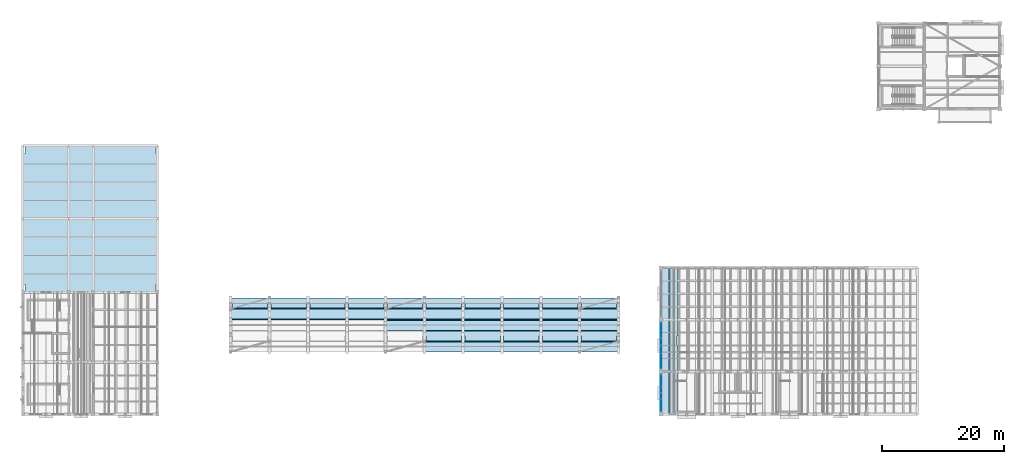
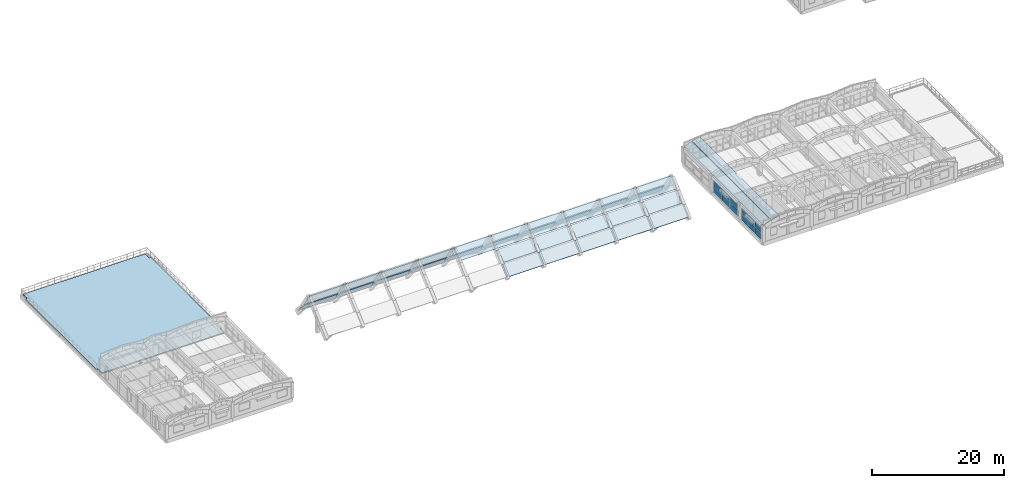
# One storey, part 20 of 40: 39 slabs, 12 plates, 2 elements without a shape of their own.
"""IFC4 building model written with IfcOpenShell, lengths in metres."""

from ifc_helpers import new_model, si_unit, direction, frame, origin, origin_2d, place, context, subcontext, project, spatial, polyline, rectangle, outline, extrude, material, layer, layer_set, type_object, element, aggregate, save


model = new_model("IFC4")

# Units and contexts
model_context = context("Model", 3, precision=1e-05, world=origin(), true_north=direction((0.0, 1.0)))
body_context = subcontext(model_context, "Body", "Model", "MODEL_VIEW")
ifc_project = project(units=[si_unit("LENGTHUNIT", "METRE"), si_unit("AREAUNIT", "SQUARE_METRE"), si_unit("VOLUMEUNIT", "CUBIC_METRE"), si_unit("PLANEANGLEUNIT", "RADIAN"), si_unit("MASSUNIT", "GRAM", prefix="KILO")], contexts=[model_context])

# Site, building, storey
site_placement = place(None, origin())
site = spatial("IfcSite", under=ifc_project, at=site_placement, CompositionType="ELEMENT")
building_placement = place(site_placement, origin())
building = spatial("IfcBuilding", under=site, at=building_placement, Name="Trellovar Central Fire Station", CompositionType="ELEMENT")
storey_placement = place(building_placement, frame((0.0, 0.0, 12.75)))
storey = spatial("IfcBuildingStorey", under=building, at=storey_placement, Name="L04", CompositionType="ELEMENT", Elevation=12.75)

# Curtain wall, plates
ifc_material_1 = material(Name="Thermally broken bronze anodized aluminum", Category="aluminium")
ifc_layer_1 = layer(ifc_material_1, 0.159912109375)
ifc_layer_set_1 = layer_set([ifc_layer_1], Name="Thermally broken bronze anodized aluminum")
curtain_wall_type = type_object("IfcCurtainWallType", Name="CW-12", PredefinedType="NOTDEFINED", material=ifc_layer_set_1)
curtain_wall_1_placement = place(storey_placement, origin())
curtain_wall_1 = element("IfcCurtainWall", 1, at=curtain_wall_1_placement, inside=storey, type_object=curtain_wall_type, Name="V5 L04 west courtyard curtain wall", PredefinedType="NOTDEFINED")
ifc_material_2 = material(Name="Double low-E solar control insulated glazing", Category="glass")
ifc_layer_2 = layer(ifc_material_2, 0.031982421875)
ifc_layer_set_2 = layer_set([ifc_layer_2], Name="Double low-E solar control insulated glazing")
plate_type_1 = type_object("IfcPlateType", Name="CWP-GL1", PredefinedType="CURTAIN_PANEL", material=ifc_layer_set_2)
plate_1_placement = place(storey_placement, frame((105.5, 14.5, 1.2099609375), z_axis=(0.0, 0.0, 1.0), x_axis=(0.0, -1.0, 0.0)))
plate_1 = element("IfcPlate", 2, at=plate_1_placement, type_object=plate_type_1, Name="CW3-L04-0099 panel 1-2", PredefinedType="CURTAIN_PANEL", context=body_context, shape_type="SweptSolid", body=[
    extrude(rectangle(XDim=1.919921875, YDim=0.031982421875, at=origin_2d()), origin(), (0.0, 0.0, 1.0), 1.090087890625),
])
ifc_material_3 = material(Name="Double low-E solar control insulated glazing", Category="glass")
ifc_layer_3 = layer(ifc_material_3, 0.035888671875)
ifc_layer_set_3 = layer_set([ifc_layer_3], Name="Double low-E solar control insulated glazing")
plate_type_2 = type_object("IfcPlateType", Name="CWP-GL2", PredefinedType="CURTAIN_PANEL", material=ifc_layer_set_3)
plate_2_placement = place(storey_placement, frame((105.5, 12.5, 1.2099609375), z_axis=(0.0, 0.0, 1.0), x_axis=(0.0, -1.0, 0.0)))
plate_2 = element("IfcPlate", 3, at=plate_2_placement, type_object=plate_type_2, Name="CW3-L04-0099 panel 2-2", PredefinedType="CURTAIN_PANEL", context=body_context, shape_type="SweptSolid", body=[
    extrude(rectangle(XDim=1.919921875, YDim=0.035888671875, at=origin_2d()), origin(), (0.0, 0.0, 1.0), 1.090087890625),
])

# Curtain wall, plate
curtain_wall_2_placement = place(storey_placement, origin())
curtain_wall_2 = element("IfcCurtainWall", 4, at=curtain_wall_2_placement, inside=storey, type_object=curtain_wall_type, Name="V5 L04 west courtyard curtain wall", PredefinedType="NOTDEFINED")
plate_3_placement = place(storey_placement, frame((105.5, 22.75, 1.2099609375), z_axis=(0.0, 0.0, 1.0), x_axis=(0.0, -1.0, 0.0)))
plate_3 = element("IfcPlate", 5, at=plate_3_placement, type_object=plate_type_2, Name="CW3-L04-0100 panel 1-2", PredefinedType="CURTAIN_PANEL", context=body_context, shape_type="SweptSolid", body=[
    extrude(rectangle(XDim=2.419921875, YDim=0.035888671875, at=origin_2d()), origin(), (0.0, 0.0, 1.0), 1.090087890625),
])

# Plate
ifc_material_4 = material(Name="Double low-E solar control insulated glazing", Category="glass")
ifc_layer_4 = layer(ifc_material_4, 0.033935546875)
ifc_layer_set_4 = layer_set([ifc_layer_4], Name="Double low-E solar control insulated glazing")
plate_type_3 = type_object("IfcPlateType", Name="CWP-GL3", PredefinedType="CURTAIN_PANEL", material=ifc_layer_set_4)
plate_4_placement = place(storey_placement, frame((105.5, 10.5, 1.2099609375), z_axis=(0.0, 0.0, 1.0), x_axis=(0.0, -1.0, 0.0)))
plate_4 = element("IfcPlate", 6, at=plate_4_placement, type_object=plate_type_3, Name="CW3-L04-0099 panel 3-2", PredefinedType="CURTAIN_PANEL", context=body_context, shape_type="SweptSolid", body=[
    extrude(rectangle(XDim=1.919921875, YDim=0.033935546875, at=origin_2d()), origin(), (0.0, 0.0, 1.0), 1.090087890625),
])

plate_5_placement = place(storey_placement, frame((105.5, 20.25, 1.2099609375), z_axis=(0.0, 0.0, 1.0), x_axis=(0.0, -1.0, 0.0)))
plate_5 = element("IfcPlate", 7, at=plate_5_placement, type_object=plate_type_3, Name="CW3-L04-0100 panel 2-2", PredefinedType="CURTAIN_PANEL", context=body_context, shape_type="SweptSolid", body=[
    extrude(rectangle(XDim=2.419921875, YDim=0.033935546875, at=origin_2d()), origin(), (0.0, 0.0, 1.0), 1.090087890625),
])

ifc_material_5 = material(Name="Double low-E solar control insulated glazing", Category="glass")
ifc_layer_5 = layer(ifc_material_5, 0.030029296875)
ifc_layer_set_5 = layer_set([ifc_layer_5], Name="Double low-E solar control insulated glazing")
plate_type_4 = type_object("IfcPlateType", Name="CWP-GL4", PredefinedType="CURTAIN_PANEL", material=ifc_layer_set_5)
plate_6_placement = place(storey_placement, frame((105.5, 17.75, 1.2099609375), z_axis=(0.0, 0.0, 1.0), x_axis=(0.0, -1.0, 0.0)))
plate_6 = element("IfcPlate", 8, at=plate_6_placement, type_object=plate_type_4, Name="CW3-L04-0100 panel 3-2", PredefinedType="CURTAIN_PANEL", context=body_context, shape_type="SweptSolid", body=[
    extrude(rectangle(XDim=2.419921875, YDim=0.030029296875, at=origin_2d()), origin(), (0.0, 0.0, 1.0), 1.090087890625),
])

ifc_material_6 = material(Name="Glazed ceramic trencadis and terracotta panel", Category="masonry")
ifc_layer_6 = layer(ifc_material_6, 0.048095703125)
ifc_layer_set_6 = layer_set([ifc_layer_6], Name="Glazed ceramic trencadis and terracotta panel")
plate_type_5 = type_object("IfcPlateType", Name="CWP-SP1", PredefinedType="CURTAIN_PANEL", material=ifc_layer_set_6)
plate_7_placement = place(storey_placement, frame((105.5, 12.5, 0.0400390625), z_axis=(0.0, 0.0, 1.0), x_axis=(0.0, -1.0, 0.0)))
plate_7 = element("IfcPlate", 9, at=plate_7_placement, type_object=plate_type_5, Name="CW3-L04-0099 panel 2-1", PredefinedType="CURTAIN_PANEL", context=body_context, shape_type="SweptSolid", body=[
    extrude(rectangle(XDim=1.919921875, YDim=0.048095703125, at=origin_2d()), origin(), (0.0, 0.0, 1.0), 1.090087890625),
])

plate_8_placement = place(storey_placement, frame((105.5, 22.75, 0.0400390625), z_axis=(0.0, 0.0, 1.0), x_axis=(0.0, -1.0, 0.0)))
plate_8 = element("IfcPlate", 10, at=plate_8_placement, type_object=plate_type_5, Name="CW3-L04-0100 panel 1-1", PredefinedType="CURTAIN_PANEL", context=body_context, shape_type="SweptSolid", body=[
    extrude(rectangle(XDim=2.419921875, YDim=0.048095703125, at=origin_2d()), origin(), (0.0, 0.0, 1.0), 1.090087890625),
])

plate_9_placement = place(storey_placement, frame((105.5, 17.75, 0.0400390625), z_axis=(0.0, 0.0, 1.0), x_axis=(0.0, -1.0, 0.0)))
plate_9 = element("IfcPlate", 11, at=plate_9_placement, type_object=plate_type_5, Name="CW3-L04-0100 panel 3-1", PredefinedType="CURTAIN_PANEL", context=body_context, shape_type="SweptSolid", body=[
    extrude(rectangle(XDim=2.419921875, YDim=0.048095703125, at=origin_2d()), origin(), (0.0, 0.0, 1.0), 1.090087890625),
])

ifc_material_7 = material(Name="Glazed ceramic trencadis and terracotta panel", Category="masonry")
ifc_layer_7 = layer(ifc_material_7, 0.044921875)
ifc_layer_set_7 = layer_set([ifc_layer_7], Name="Glazed ceramic trencadis and terracotta panel")
plate_type_6 = type_object("IfcPlateType", Name="CWP-SP2", PredefinedType="CURTAIN_PANEL", material=ifc_layer_set_7)
plate_10_placement = place(storey_placement, frame((105.5, 14.5, 0.0400390625), z_axis=(0.0, 0.0, 1.0), x_axis=(0.0, -1.0, 0.0)))
plate_10 = element("IfcPlate", 12, at=plate_10_placement, type_object=plate_type_6, Name="CW3-L04-0099 panel 1-1", PredefinedType="CURTAIN_PANEL", context=body_context, shape_type="SweptSolid", body=[
    extrude(rectangle(XDim=1.919921875, YDim=0.044921875, at=origin_2d()), origin(), (0.0, 0.0, 1.0), 1.090087890625),
])

plate_11_placement = place(storey_placement, frame((105.5, 10.5, 0.0400390625), z_axis=(0.0, 0.0, 1.0), x_axis=(0.0, -1.0, 0.0)))
plate_11 = element("IfcPlate", 13, at=plate_11_placement, type_object=plate_type_6, Name="CW3-L04-0099 panel 3-1", PredefinedType="CURTAIN_PANEL", context=body_context, shape_type="SweptSolid", body=[
    extrude(rectangle(XDim=1.919921875, YDim=0.044921875, at=origin_2d()), origin(), (0.0, 0.0, 1.0), 1.090087890625),
])

aggregate(curtain_wall_1, [plate_10, plate_1, plate_7, plate_2, plate_11, plate_4])

plate_12_placement = place(storey_placement, frame((105.5, 20.25, 0.0400390625), z_axis=(0.0, 0.0, 1.0), x_axis=(0.0, -1.0, 0.0)))
plate_12 = element("IfcPlate", 14, at=plate_12_placement, type_object=plate_type_6, Name="CW3-L04-0100 panel 2-1", PredefinedType="CURTAIN_PANEL", context=body_context, shape_type="SweptSolid", body=[
    extrude(rectangle(XDim=2.419921875, YDim=0.044921875, at=origin_2d()), origin(), (0.0, 0.0, 1.0), 1.090087890625),
])

aggregate(curtain_wall_2, [plate_8, plate_3, plate_12, plate_5, plate_9, plate_6])

# Slabs
ifc_material_8 = material(Name="Concrete C40/50", Category="concrete")
ifc_layer_8 = layer(ifc_material_8, 0.22998046875)
ifc_layer_set_8 = layer_set([ifc_layer_8], Name="Concrete C40/50")
slab_type_1 = type_object("IfcSlabType", Name="SLB-TER230", PredefinedType="FLOOR", material=ifc_layer_set_8)
slab_1_placement = place(storey_placement, frame((0.0, 0.0, -0.22998046875)))
element("IfcSlab", 15, at=slab_1_placement, inside=storey, type_object=slab_type_1, Name="V4 L04 walkable outdoor terrace slab", PredefinedType="FLOOR", context=body_context, shape_type="SweptSolid", body=[
    extrude(outline(polyline([(1.300048828125, 29.0), (22.699951171875, 29.0), (22.699951171875, 30.25), (23.0, 30.25), (23.0, 51.75), (22.699951171875, 51.75), (22.699951171875, 53.0), (1.300048828125, 53.0), (1.300048828125, 51.75), (1.0, 51.75), (1.0, 30.25), (1.300048828125, 30.25), (1.300048828125, 29.0)])), origin(), (0.0, 0.0, 1.0), 0.22998046875),
])
ifc_material_9 = material(Name="Concrete C40/50", Category="concrete")
ifc_layer_9 = layer(ifc_material_9, 0.169921875)
ifc_layer_set_9 = layer_set([ifc_layer_9], Name="Concrete C40/50")
slab_type_2 = type_object("IfcSlabType", Name="SLB-VLT170", PredefinedType="ROOF", material=ifc_layer_set_9)
slab_2_placement = place(storey_placement, frame((105.501953125, 9.0, 3.000732421875), z_axis=(-0.368836183786, 0.0, 0.929494416084), x_axis=(0.929494416084, 0.0, 0.368836183786)))
element("IfcSlab", 16, at=slab_2_placement, inside=storey, type_object=slab_type_2, Name="V5 Catalan barrel vault slab 01-01", PredefinedType="ROOF", context=body_context, shape_type="SweptSolid", body=[
    extrude(outline(polyline([(0.0, 0.0), (1.4343840372303687, 0.0), (1.4343840372303687, 24.0), (0.0, 24.0), (0.0, 0.0)])), origin(), (0.0, 0.0, -1.0), 0.169921875),
])
slab_3_placement = place(storey_placement, frame((106.902099609375, 9.0, 3.55615234375), z_axis=(-0.231638571255, 0.0, 0.97280191833), x_axis=(0.97280191833, 0.0, 0.231638571255)))
element("IfcSlab", 17, at=slab_3_placement, inside=storey, type_object=slab_type_2, Name="V5 Catalan barrel vault slab 01-02", PredefinedType="ROOF", context=body_context, shape_type="SweptSolid", body=[
    extrude(outline(polyline([(0.0, 0.0), (1.3943714082063057, 0.0), (1.3943714082063057, 11.199951171874998), (1.20938034317939, 11.199951171874998), (1.20938034317939, 12.800048828124998), (1.3943714082063057, 12.800048828124998), (1.3943714082063057, 23.999999999999996), (0.0, 23.999999999999996), (0.0, 0.0)])), origin(), (0.0, 0.0, -1.0), 0.169921875),
])
ifc_material_10 = material(Name="Concrete C40/50", Category="concrete")
ifc_layer_10 = layer(ifc_material_10, 0.179931640625)
ifc_layer_set_10 = layer_set([ifc_layer_10], Name="Concrete C40/50")
slab_type_3 = type_object("IfcSlabType", Name="SLB-VLT180", PredefinedType="ROOF", material=ifc_layer_set_10)
slab_4_placement = place(storey_placement, frame((35.0, 24.634033203125, 5.206787109375), z_axis=(0.0, 0.844649440316, 0.535319832413), x_axis=(1.0, 0.0, 0.0)))
element("IfcSlab", 18, at=slab_4_placement, inside=storey, type_object=slab_type_3, Name="Catalan ski-jump vault strip V1-01-07", PredefinedType="ROOF", context=body_context, shape_type="SweptSolid", body=[
    extrude(outline(polyline([(0.0, 0.0), (6.35009765625, 0.0), (6.35009765625, 3.0583717099951353), (0.0, 3.0583717099951353), (0.0, 0.0)])), origin(), (0.0, 0.0, -1.0), 0.179931640625),
])
slab_5_placement = place(storey_placement, frame((35.280029296875, 26.413818359375, 2.450927734375), z_axis=(0.0, 0.769828089618, 0.638251292545), x_axis=(1.0, 0.0, 0.0)))
element("IfcSlab", 19, at=slab_5_placement, inside=storey, type_object=slab_type_3, Name="Catalan ski-jump vault strip V1-01-08", PredefinedType="ROOF", context=body_context, shape_type="SweptSolid", body=[
    extrude(outline(polyline([(0.0, 0.0), (5.7900390625, 0.0), (5.7900390625, 1.2932828538955452), (6.070068359375, 1.2932828538955452), (6.070068359375, 2.5865657077910904), (-0.280029296875, 2.5865657077910904), (-0.280029296875, 1.2932828538955452), (0.0, 1.2932828538955452), (0.0, 0.0)])), origin(), (0.0, 0.0, -1.0), 0.179931640625),
])
slab_6_placement = place(storey_placement, frame((41.35009765625, 24.634033203125, 5.206787109375), z_axis=(0.0, 0.844649440316, 0.535319832413), x_axis=(1.0, 0.0, 0.0)))
element("IfcSlab", 20, at=slab_6_placement, inside=storey, type_object=slab_type_3, Name="Catalan ski-jump vault strip V1-02-07", PredefinedType="ROOF", context=body_context, shape_type="SweptSolid", body=[
    extrude(outline(polyline([(0.0, 0.0), (6.349853515625, 0.0), (6.349853515625, 3.0583717099951353), (0.0, 3.0583717099951353), (0.0, 0.0)])), origin(), (0.0, 0.0, -1.0), 0.179931640625),
])
slab_7_placement = place(storey_placement, frame((41.6298828125, 26.413818359375, 2.450927734375), z_axis=(0.0, 0.769828089618, 0.638251292545), x_axis=(1.0, 0.0, 0.0)))
element("IfcSlab", 21, at=slab_7_placement, inside=storey, type_object=slab_type_3, Name="Catalan ski-jump vault strip V1-02-08", PredefinedType="ROOF", context=body_context, shape_type="SweptSolid", body=[
    extrude(outline(polyline([(0.0, 0.0), (5.7900390625, 0.0), (5.7900390625, 1.2932828538955454), (6.070068359375, 1.2932828538955454), (6.070068359375, 2.586565707791091), (-0.27978515625, 2.586565707791091), (-0.27978515625, 1.2932828538955454), (0.0, 1.2932828538955454), (0.0, 0.0)])), origin(), (0.0, 0.0, -1.0), 0.179931640625),
])
slab_8_placement = place(storey_placement, frame((47.699951171875, 24.634033203125, 5.206787109375), z_axis=(0.0, 0.844649440316, 0.535319832413), x_axis=(1.0, 0.0, 0.0)))
element("IfcSlab", 22, at=slab_8_placement, inside=storey, type_object=slab_type_3, Name="Catalan ski-jump vault strip V1-03-07", PredefinedType="ROOF", context=body_context, shape_type="SweptSolid", body=[
    extrude(outline(polyline([(0.0, 0.0), (6.35009765625, 0.0), (6.35009765625, 3.0583717099951353), (0.0, 3.0583717099951353), (0.0, 0.0)])), origin(), (0.0, 0.0, -1.0), 0.179931640625),
])
slab_9_placement = place(storey_placement, frame((47.97998046875, 26.413818359375, 2.450927734375), z_axis=(0.0, 0.769828089618, 0.638251292545), x_axis=(1.0, 0.0, 0.0)))
element("IfcSlab", 23, at=slab_9_placement, inside=storey, type_object=slab_type_3, Name="Catalan ski-jump vault strip V1-03-08", PredefinedType="ROOF", context=body_context, shape_type="SweptSolid", body=[
    extrude(outline(polyline([(0.0, 0.0), (5.7900390625, 0.0), (5.7900390625, 1.2932828538955452), (6.070068359375, 1.2932828538955452), (6.070068359375, 2.5865657077910904), (-0.280029296875, 2.5865657077910904), (-0.280029296875, 1.2932828538955452), (0.0, 1.2932828538955452), (0.0, 0.0)])), origin(), (0.0, 0.0, -1.0), 0.179931640625),
])
slab_10_placement = place(storey_placement, frame((54.050048828125, 24.634033203125, 5.206787109375), z_axis=(0.0, 0.844649440316, 0.535319832413), x_axis=(1.0, 0.0, 0.0)))
element("IfcSlab", 24, at=slab_10_placement, inside=storey, type_object=slab_type_3, Name="Catalan ski-jump vault strip V1-04-07", PredefinedType="ROOF", context=body_context, shape_type="SweptSolid", body=[
    extrude(outline(polyline([(0.0, 0.0), (6.349853515625, 0.0), (6.349853515625, 3.0583717099951353), (0.0, 3.0583717099951353), (0.0, 0.0)])), origin(), (0.0, 0.0, -1.0), 0.179931640625),
])
slab_11_placement = place(storey_placement, frame((54.330078125, 26.413818359375, 2.450927734375), z_axis=(0.0, 0.769828089618, 0.638251292545), x_axis=(1.0, 0.0, 0.0)))
element("IfcSlab", 25, at=slab_11_placement, inside=storey, type_object=slab_type_3, Name="Catalan ski-jump vault strip V1-04-08", PredefinedType="ROOF", context=body_context, shape_type="SweptSolid", body=[
    extrude(outline(polyline([(0.0, 0.0), (5.7900390625, 0.0), (5.7900390625, 1.2932828538955454), (6.06982421875, 1.2932828538955454), (6.06982421875, 2.586565707791091), (-0.280029296875, 2.586565707791091), (-0.280029296875, 1.2932828538955454), (0.0, 1.2932828538955454), (0.0, 0.0)])), origin(), (0.0, 0.0, -1.0), 0.179931640625),
])
slab_12_placement = place(storey_placement, frame((60.39990234375, 22.7353515625, 3.885009765625), z_axis=(0.0, -0.667701315225, 0.744429280487), x_axis=(1.0, 0.0, 0.0)))
element("IfcSlab", 26, at=slab_12_placement, inside=storey, type_object=slab_type_3, Name="Catalan ski-jump vault strip V1-05-06", PredefinedType="ROOF", context=body_context, shape_type="SweptSolid", body=[
    extrude(outline(polyline([(0.0, 0.0), (6.35009765625, 0.0), (6.35009765625, 2.1796007173278), (0.0, 2.1796007173278), (0.0, 0.0)])), origin(), (0.0, 0.0, -1.0), 0.179931640625),
])
slab_13_placement = place(storey_placement, frame((60.39990234375, 24.634033203125, 5.206787109375), z_axis=(0.0, 0.844649440316, 0.535319832413), x_axis=(1.0, 0.0, 0.0)))
element("IfcSlab", 27, at=slab_13_placement, inside=storey, type_object=slab_type_3, Name="Catalan ski-jump vault strip V1-05-07", PredefinedType="ROOF", context=body_context, shape_type="SweptSolid", body=[
    extrude(outline(polyline([(0.0, 0.0), (6.35009765625, 0.0), (6.35009765625, 3.0583717099951353), (0.0, 3.0583717099951353), (0.0, 0.0)])), origin(), (0.0, 0.0, -1.0), 0.179931640625),
])
slab_14_placement = place(storey_placement, frame((60.679931640625, 26.413818359375, 2.450927734375), z_axis=(0.0, 0.769828089618, 0.638251292545), x_axis=(1.0, 0.0, 0.0)))
element("IfcSlab", 28, at=slab_14_placement, inside=storey, type_object=slab_type_3, Name="Catalan ski-jump vault strip V1-05-08", PredefinedType="ROOF", context=body_context, shape_type="SweptSolid", body=[
    extrude(outline(polyline([(0.0, 0.0), (5.7900390625, 0.0), (5.7900390625, 1.2932828538955452), (6.070068359375, 1.2932828538955452), (6.070068359375, 2.5865657077910904), (-0.280029296875, 2.5865657077910904), (-0.280029296875, 1.2932828538955452), (0.0, 1.2932828538955452), (0.0, 0.0)])), origin(), (0.0, 0.0, -1.0), 0.179931640625),
])
slab_15_placement = place(storey_placement, frame((66.75, 19.241943359375, 0.751708984375), z_axis=(0.0, -0.667701315225, 0.744429280487), x_axis=(1.0, 0.0, 0.0)))
element("IfcSlab", 29, at=slab_15_placement, inside=storey, type_object=slab_type_3, Name="Catalan ski-jump vault strip V1-06-04", PredefinedType="ROOF", context=body_context, shape_type="SweptSolid", body=[
    extrude(outline(polyline([(0.0, 0.0), (6.35009765625, 0.0), (6.35009765625, 2.1796007173278), (0.0, 2.1796007173278), (0.0, 0.0)])), origin(), (0.0, 0.0, -1.0), 0.179931640625),
])
slab_16_placement = place(storey_placement, frame((67.030029296875, 20.98876953125, 2.318603515625), z_axis=(0.0, -0.667692347357, 0.744437323944), x_axis=(1.0, 0.0, 0.0)))
element("IfcSlab", 30, at=slab_16_placement, inside=storey, type_object=slab_type_3, Name="Catalan ski-jump vault strip V1-06-05", PredefinedType="ROOF", context=body_context, shape_type="SweptSolid", body=[
    extrude(outline(polyline([(0.0, 0.0), (5.7900390625, 0.0), (5.7900390625, 1.0895371057777876), (6.070068359375, 1.0895371057777876), (6.070068359375, 2.179255958949116), (-0.280029296875, 2.179255958949116), (-0.280029296875, 1.0895371057777876), (0.0, 1.0895371057777876), (0.0, 0.0)])), origin(), (0.0, 0.0, -1.0), 0.179931640625),
])
slab_17_placement = place(storey_placement, frame((66.75, 22.7353515625, 3.885009765625), z_axis=(0.0, -0.667701315225, 0.744429280487), x_axis=(1.0, 0.0, 0.0)))
element("IfcSlab", 31, at=slab_17_placement, inside=storey, type_object=slab_type_3, Name="Catalan ski-jump vault strip V1-06-06", PredefinedType="ROOF", context=body_context, shape_type="SweptSolid", body=[
    extrude(outline(polyline([(0.0, 0.0), (6.35009765625, 0.0), (6.35009765625, 2.1796007173278), (0.0, 2.1796007173278), (0.0, 0.0)])), origin(), (0.0, 0.0, -1.0), 0.179931640625),
])
slab_18_placement = place(storey_placement, frame((66.75, 24.634033203125, 5.206787109375), z_axis=(0.0, 0.844649440316, 0.535319832413), x_axis=(1.0, 0.0, 0.0)))
element("IfcSlab", 32, at=slab_18_placement, inside=storey, type_object=slab_type_3, Name="Catalan ski-jump vault strip V1-06-07", PredefinedType="ROOF", context=body_context, shape_type="SweptSolid", body=[
    extrude(outline(polyline([(0.0, 0.0), (6.35009765625, 0.0), (6.35009765625, 3.0583717099951353), (0.0, 3.0583717099951353), (0.0, 0.0)])), origin(), (0.0, 0.0, -1.0), 0.179931640625),
])
slab_19_placement = place(storey_placement, frame((67.030029296875, 26.413818359375, 2.450927734375), z_axis=(0.0, 0.769828089618, 0.638251292545), x_axis=(1.0, 0.0, 0.0)))
element("IfcSlab", 33, at=slab_19_placement, inside=storey, type_object=slab_type_3, Name="Catalan ski-jump vault strip V1-06-08", PredefinedType="ROOF", context=body_context, shape_type="SweptSolid", body=[
    extrude(outline(polyline([(0.0, 0.0), (5.7900390625, 0.0), (5.7900390625, 1.2932828538955452), (6.070068359375, 1.2932828538955452), (6.070068359375, 2.5865657077910904), (-0.280029296875, 2.5865657077910904), (-0.280029296875, 1.2932828538955452), (0.0, 1.2932828538955452), (0.0, 0.0)])), origin(), (0.0, 0.0, -1.0), 0.179931640625),
])
slab_20_placement = place(storey_placement, frame((73.10009765625, 19.241943359375, 0.751708984375), z_axis=(0.0, -0.667701315225, 0.744429280487), x_axis=(1.0, 0.0, 0.0)))
element("IfcSlab", 34, at=slab_20_placement, inside=storey, type_object=slab_type_3, Name="Catalan ski-jump vault strip V1-07-04", PredefinedType="ROOF", context=body_context, shape_type="SweptSolid", body=[
    extrude(outline(polyline([(0.0, 0.0), (6.349853515625, 0.0), (6.349853515625, 2.1796007173278), (0.0, 2.1796007173278), (0.0, 0.0)])), origin(), (0.0, 0.0, -1.0), 0.179931640625),
])
slab_21_placement = place(storey_placement, frame((73.3798828125, 20.98876953125, 2.318603515625), z_axis=(0.0, -0.667692348425, 0.744437322986), x_axis=(1.0, 0.0, 0.0)))
element("IfcSlab", 35, at=slab_21_placement, inside=storey, type_object=slab_type_3, Name="Catalan ski-jump vault strip V1-07-05", PredefinedType="ROOF", context=body_context, shape_type="SweptSolid", body=[
    extrude(outline(polyline([(0.0, 0.0), (5.7900390625, 0.0), (5.7900390625, 1.0895371057779097), (6.070068359375, 1.0895371057779097), (6.070068359375, 2.1792559589491267), (-0.27978515625, 2.1792559589491267), (-0.27978515625, 1.0895371057779097), (0.0, 1.0895371057779097), (0.0, 0.0)])), origin(), (0.0, 0.0, -1.0), 0.179931640625),
])
slab_22_placement = place(storey_placement, frame((73.10009765625, 22.7353515625, 3.885009765625), z_axis=(0.0, -0.667701315225, 0.744429280487), x_axis=(1.0, 0.0, 0.0)))
element("IfcSlab", 36, at=slab_22_placement, inside=storey, type_object=slab_type_3, Name="Catalan ski-jump vault strip V1-07-06", PredefinedType="ROOF", context=body_context, shape_type="SweptSolid", body=[
    extrude(outline(polyline([(0.0, 0.0), (6.349853515625, 0.0), (6.349853515625, 2.1796007173278), (0.0, 2.1796007173278), (0.0, 0.0)])), origin(), (0.0, 0.0, -1.0), 0.179931640625),
])
slab_23_placement = place(storey_placement, frame((73.10009765625, 24.634033203125, 5.206787109375), z_axis=(0.0, 0.844649440316, 0.535319832413), x_axis=(1.0, 0.0, 0.0)))
element("IfcSlab", 37, at=slab_23_placement, inside=storey, type_object=slab_type_3, Name="Catalan ski-jump vault strip V1-07-07", PredefinedType="ROOF", context=body_context, shape_type="SweptSolid", body=[
    extrude(outline(polyline([(0.0, 0.0), (6.349853515625, 0.0), (6.349853515625, 3.0583717099951353), (0.0, 3.0583717099951353), (0.0, 0.0)])), origin(), (0.0, 0.0, -1.0), 0.179931640625),
])
slab_24_placement = place(storey_placement, frame((73.3798828125, 26.413818359375, 2.450927734375), z_axis=(0.0, 0.769828089618, 0.638251292545), x_axis=(1.0, 0.0, 0.0)))
element("IfcSlab", 38, at=slab_24_placement, inside=storey, type_object=slab_type_3, Name="Catalan ski-jump vault strip V1-07-08", PredefinedType="ROOF", context=body_context, shape_type="SweptSolid", body=[
    extrude(outline(polyline([(0.0, 0.0), (5.7900390625, 0.0), (5.7900390625, 1.2932828538955454), (6.070068359375, 1.2932828538955454), (6.070068359375, 2.586565707791091), (-0.27978515625, 2.586565707791091), (-0.27978515625, 1.2932828538955454), (0.0, 1.2932828538955454), (0.0, 0.0)])), origin(), (0.0, 0.0, -1.0), 0.179931640625),
])
slab_25_placement = place(storey_placement, frame((79.449951171875, 19.241943359375, 0.751708984375), z_axis=(0.0, -0.667701315225, 0.744429280487), x_axis=(1.0, 0.0, 0.0)))
element("IfcSlab", 39, at=slab_25_placement, inside=storey, type_object=slab_type_3, Name="Catalan ski-jump vault strip V1-08-04", PredefinedType="ROOF", context=body_context, shape_type="SweptSolid", body=[
    extrude(outline(polyline([(0.0, 0.0), (6.35009765625, 0.0), (6.35009765625, 2.1796007173278), (0.0, 2.1796007173278), (0.0, 0.0)])), origin(), (0.0, 0.0, -1.0), 0.179931640625),
])
slab_26_placement = place(storey_placement, frame((79.72998046875, 20.98876953125, 2.318603515625), z_axis=(0.0, -0.667692347357, 0.744437323944), x_axis=(1.0, 0.0, 0.0)))
element("IfcSlab", 40, at=slab_26_placement, inside=storey, type_object=slab_type_3, Name="Catalan ski-jump vault strip V1-08-05", PredefinedType="ROOF", context=body_context, shape_type="SweptSolid", body=[
    extrude(outline(polyline([(0.0, 0.0), (5.7900390625, 0.0), (5.7900390625, 1.0895371057777876), (6.070068359375, 1.0895371057777876), (6.070068359375, 2.179255958949116), (-0.280029296875, 2.179255958949116), (-0.280029296875, 1.0895371057777876), (0.0, 1.0895371057777876), (0.0, 0.0)])), origin(), (0.0, 0.0, -1.0), 0.179931640625),
])
slab_27_placement = place(storey_placement, frame((79.449951171875, 22.7353515625, 3.885009765625), z_axis=(0.0, -0.667701315225, 0.744429280487), x_axis=(1.0, 0.0, 0.0)))
element("IfcSlab", 41, at=slab_27_placement, inside=storey, type_object=slab_type_3, Name="Catalan ski-jump vault strip V1-08-06", PredefinedType="ROOF", context=body_context, shape_type="SweptSolid", body=[
    extrude(outline(polyline([(0.0, 0.0), (6.35009765625, 0.0), (6.35009765625, 2.1796007173278), (0.0, 2.1796007173278), (0.0, 0.0)])), origin(), (0.0, 0.0, -1.0), 0.179931640625),
])
slab_28_placement = place(storey_placement, frame((79.449951171875, 24.634033203125, 5.206787109375), z_axis=(0.0, 0.844649440316, 0.535319832413), x_axis=(1.0, 0.0, 0.0)))
element("IfcSlab", 42, at=slab_28_placement, inside=storey, type_object=slab_type_3, Name="Catalan ski-jump vault strip V1-08-07", PredefinedType="ROOF", context=body_context, shape_type="SweptSolid", body=[
    extrude(outline(polyline([(0.0, 0.0), (6.35009765625, 0.0), (6.35009765625, 3.0583717099951353), (0.0, 3.0583717099951353), (0.0, 0.0)])), origin(), (0.0, 0.0, -1.0), 0.179931640625),
])
slab_29_placement = place(storey_placement, frame((79.72998046875, 26.413818359375, 2.450927734375), z_axis=(0.0, 0.769828089618, 0.638251292545), x_axis=(1.0, 0.0, 0.0)))
element("IfcSlab", 43, at=slab_29_placement, inside=storey, type_object=slab_type_3, Name="Catalan ski-jump vault strip V1-08-08", PredefinedType="ROOF", context=body_context, shape_type="SweptSolid", body=[
    extrude(outline(polyline([(0.0, 0.0), (5.7900390625, 0.0), (5.7900390625, 1.2932828538955452), (6.070068359375, 1.2932828538955452), (6.070068359375, 2.5865657077910904), (-0.280029296875, 2.5865657077910904), (-0.280029296875, 1.2932828538955452), (0.0, 1.2932828538955452), (0.0, 0.0)])), origin(), (0.0, 0.0, -1.0), 0.179931640625),
])
slab_30_placement = place(storey_placement, frame((85.800048828125, 19.241943359375, 0.751708984375), z_axis=(0.0, -0.667701315225, 0.744429280487), x_axis=(1.0, 0.0, 0.0)))
element("IfcSlab", 44, at=slab_30_placement, inside=storey, type_object=slab_type_3, Name="Catalan ski-jump vault strip V1-09-04", PredefinedType="ROOF", context=body_context, shape_type="SweptSolid", body=[
    extrude(outline(polyline([(0.0, 0.0), (6.349853515625, 0.0), (6.349853515625, 2.1796007173278), (0.0, 2.1796007173278), (0.0, 0.0)])), origin(), (0.0, 0.0, -1.0), 0.179931640625),
])
slab_31_placement = place(storey_placement, frame((86.080078125, 20.98876953125, 2.318603515625), z_axis=(0.0, -0.667692348425, 0.744437322986), x_axis=(1.0, 0.0, 0.0)))
element("IfcSlab", 45, at=slab_31_placement, inside=storey, type_object=slab_type_3, Name="Catalan ski-jump vault strip V1-09-05", PredefinedType="ROOF", context=body_context, shape_type="SweptSolid", body=[
    extrude(outline(polyline([(0.0, 0.0), (5.7900390625, 0.0), (5.7900390625, 1.0895371057779097), (6.06982421875, 1.0895371057779097), (6.06982421875, 2.1792559589491267), (-0.280029296875, 2.1792559589491267), (-0.280029296875, 1.0895371057779097), (0.0, 1.0895371057779097), (0.0, 0.0)])), origin(), (0.0, 0.0, -1.0), 0.179931640625),
])
slab_32_placement = place(storey_placement, frame((85.800048828125, 22.7353515625, 3.885009765625), z_axis=(0.0, -0.667701315225, 0.744429280487), x_axis=(1.0, 0.0, 0.0)))
element("IfcSlab", 46, at=slab_32_placement, inside=storey, type_object=slab_type_3, Name="Catalan ski-jump vault strip V1-09-06", PredefinedType="ROOF", context=body_context, shape_type="SweptSolid", body=[
    extrude(outline(polyline([(0.0, 0.0), (6.349853515625, 0.0), (6.349853515625, 2.1796007173278), (0.0, 2.1796007173278), (0.0, 0.0)])), origin(), (0.0, 0.0, -1.0), 0.179931640625),
])
slab_33_placement = place(storey_placement, frame((85.800048828125, 24.634033203125, 5.206787109375), z_axis=(0.0, 0.844649440316, 0.535319832413), x_axis=(1.0, 0.0, 0.0)))
element("IfcSlab", 47, at=slab_33_placement, inside=storey, type_object=slab_type_3, Name="Catalan ski-jump vault strip V1-09-07", PredefinedType="ROOF", context=body_context, shape_type="SweptSolid", body=[
    extrude(outline(polyline([(0.0, 0.0), (6.349853515625, 0.0), (6.349853515625, 3.0583717099951353), (0.0, 3.0583717099951353), (0.0, 0.0)])), origin(), (0.0, 0.0, -1.0), 0.179931640625),
])
slab_34_placement = place(storey_placement, frame((86.080078125, 26.413818359375, 2.450927734375), z_axis=(0.0, 0.769828089618, 0.638251292545), x_axis=(1.0, 0.0, 0.0)))
element("IfcSlab", 48, at=slab_34_placement, inside=storey, type_object=slab_type_3, Name="Catalan ski-jump vault strip V1-09-08", PredefinedType="ROOF", context=body_context, shape_type="SweptSolid", body=[
    extrude(outline(polyline([(0.0, 0.0), (5.7900390625, 0.0), (5.7900390625, 1.2932828538955454), (6.06982421875, 1.2932828538955454), (6.06982421875, 2.586565707791091), (-0.280029296875, 2.586565707791091), (-0.280029296875, 1.2932828538955454), (0.0, 1.2932828538955454), (0.0, 0.0)])), origin(), (0.0, 0.0, -1.0), 0.179931640625),
])
slab_35_placement = place(storey_placement, frame((92.14990234375, 19.241943359375, 0.751708984375), z_axis=(0.0, -0.667701315225, 0.744429280487), x_axis=(1.0, 0.0, 0.0)))
element("IfcSlab", 49, at=slab_35_placement, inside=storey, type_object=slab_type_3, Name="Catalan ski-jump vault strip V1-10-04", PredefinedType="ROOF", context=body_context, shape_type="SweptSolid", body=[
    extrude(outline(polyline([(0.0, 0.0), (6.35009765625, 0.0), (6.35009765625, 2.1796007173278), (0.0, 2.1796007173278), (0.0, 0.0)])), origin(), (0.0, 0.0, -1.0), 0.179931640625),
])
slab_36_placement = place(storey_placement, frame((92.429931640625, 20.98876953125, 2.318603515625), z_axis=(0.0, -0.667692347357, 0.744437323944), x_axis=(1.0, 0.0, 0.0)))
element("IfcSlab", 50, at=slab_36_placement, inside=storey, type_object=slab_type_3, Name="Catalan ski-jump vault strip V1-10-05", PredefinedType="ROOF", context=body_context, shape_type="SweptSolid", body=[
    extrude(outline(polyline([(0.0, 0.0), (5.7900390625, 0.0), (5.7900390625, 1.0895371057777876), (6.070068359375, 1.0895371057777876), (6.070068359375, 2.179255958949116), (-0.280029296875, 2.179255958949116), (-0.280029296875, 1.0895371057777876), (0.0, 1.0895371057777876), (0.0, 0.0)])), origin(), (0.0, 0.0, -1.0), 0.179931640625),
])
slab_37_placement = place(storey_placement, frame((92.14990234375, 22.7353515625, 3.885009765625), z_axis=(0.0, -0.667701315225, 0.744429280487), x_axis=(1.0, 0.0, 0.0)))
element("IfcSlab", 51, at=slab_37_placement, inside=storey, type_object=slab_type_3, Name="Catalan ski-jump vault strip V1-10-06", PredefinedType="ROOF", context=body_context, shape_type="SweptSolid", body=[
    extrude(outline(polyline([(0.0, 0.0), (6.35009765625, 0.0), (6.35009765625, 2.1796007173278), (0.0, 2.1796007173278), (0.0, 0.0)])), origin(), (0.0, 0.0, -1.0), 0.179931640625),
])
slab_38_placement = place(storey_placement, frame((92.14990234375, 24.634033203125, 5.206787109375), z_axis=(0.0, 0.844649440316, 0.535319832413), x_axis=(1.0, 0.0, 0.0)))
element("IfcSlab", 52, at=slab_38_placement, inside=storey, type_object=slab_type_3, Name="Catalan ski-jump vault strip V1-10-07", PredefinedType="ROOF", context=body_context, shape_type="SweptSolid", body=[
    extrude(outline(polyline([(0.0, 0.0), (6.35009765625, 0.0), (6.35009765625, 3.0583717099951353), (0.0, 3.0583717099951353), (0.0, 0.0)])), origin(), (0.0, 0.0, -1.0), 0.179931640625),
])
slab_39_placement = place(storey_placement, frame((92.429931640625, 26.413818359375, 2.450927734375), z_axis=(0.0, 0.769828089618, 0.638251292545), x_axis=(1.0, 0.0, 0.0)))
element("IfcSlab", 53, at=slab_39_placement, inside=storey, type_object=slab_type_3, Name="Catalan ski-jump vault strip V1-10-08", PredefinedType="ROOF", context=body_context, shape_type="SweptSolid", body=[
    extrude(outline(polyline([(0.0, 0.0), (5.7900390625, 0.0), (5.7900390625, 1.2932828538955452), (6.070068359375, 1.2932828538955452), (6.070068359375, 2.5865657077910904), (-0.280029296875, 2.5865657077910904), (-0.280029296875, 1.2932828538955452), (0.0, 1.2932828538955452), (0.0, 0.0)])), origin(), (0.0, 0.0, -1.0), 0.179931640625),
])

save(model, "model.ifc")
